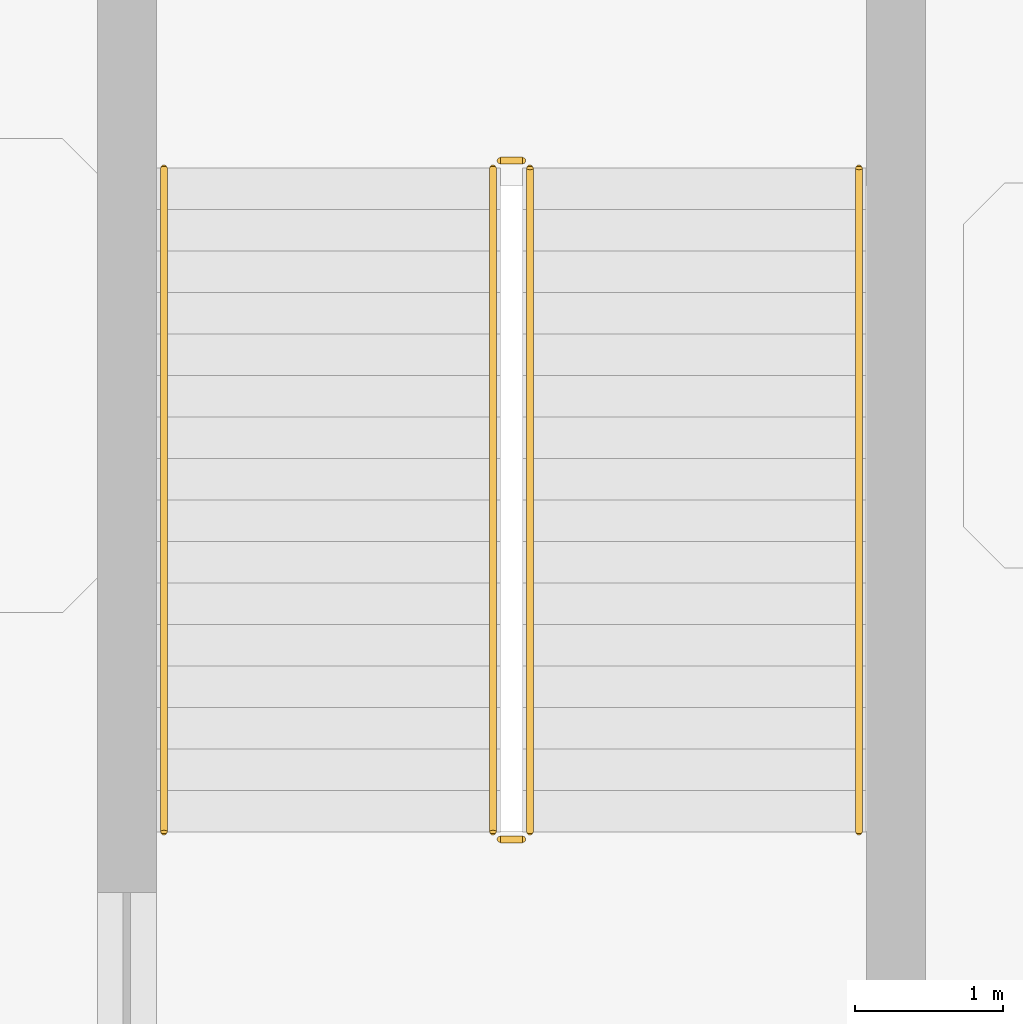
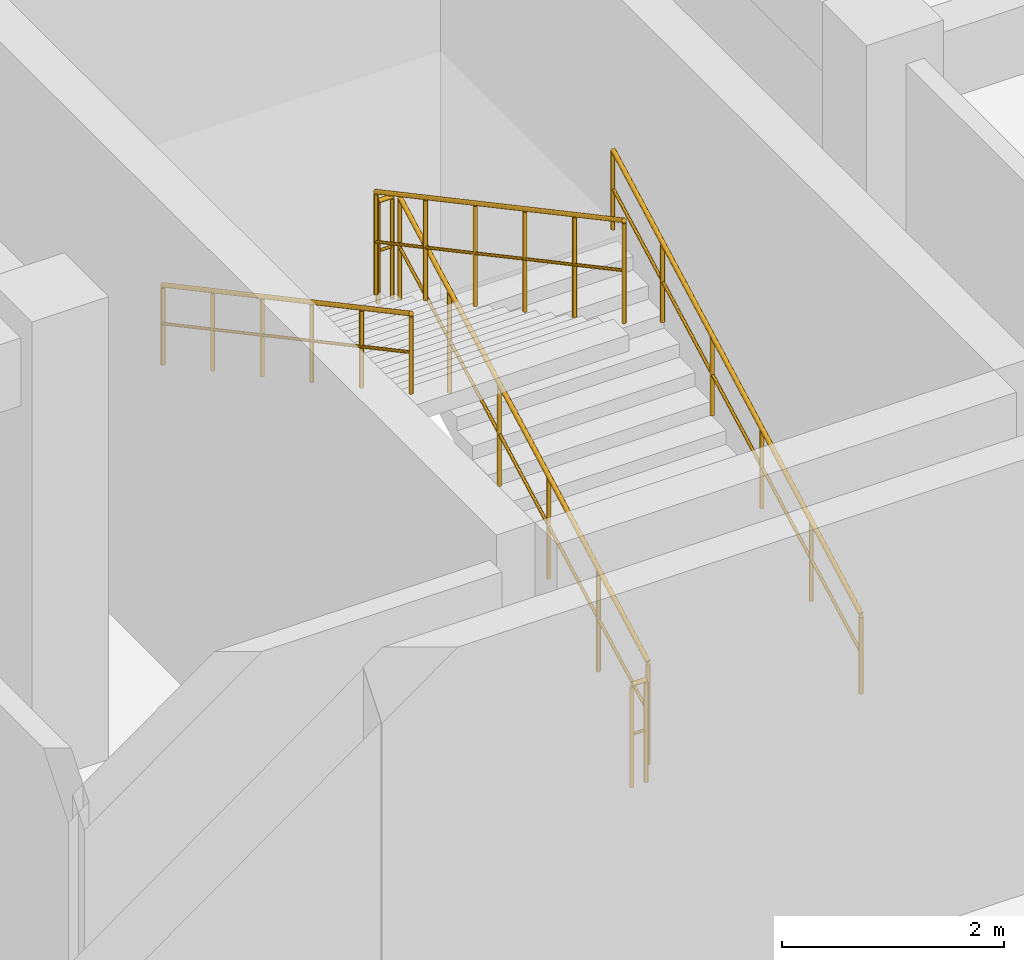
# One storey, part 123 of 124: 6 railings.
"""IFC4 building model written with IfcOpenShell, lengths in metres."""

from ifc_helpers import new_model, si_unit, derived_unit, direction, frame, origin, origin_2d, place, context, subcontext, project, spatial, circle, extrude, material, type_object, element, save


model = new_model("IFC4")

# Units and contexts
model_context = context("Model", 3, precision=1e-05, world=origin(), true_north=direction((0.0, 1.0)))
body_context = subcontext(model_context, "Body", "Model", "MODEL_VIEW")
ifc_project = project(units=[si_unit("LENGTHUNIT", "METRE"), si_unit("AREAUNIT", "SQUARE_METRE"), si_unit("VOLUMEUNIT", "CUBIC_METRE"), si_unit("PLANEANGLEUNIT", "RADIAN"), si_unit("MASSUNIT", "GRAM", prefix="KILO"), derived_unit("THERMALTRANSMITTANCEUNIT", [(si_unit("MASSUNIT", "GRAM", prefix="KILO"), 1), (si_unit("TIMEUNIT", "SECOND"), -3), (si_unit("THERMODYNAMICTEMPERATUREUNIT", "KELVIN"), -1)])], contexts=[model_context])

# Site, building, storey
site_placement = place(None, origin())
site = spatial("IfcSite", under=ifc_project, at=site_placement, CompositionType="ELEMENT")
building_placement = place(site_placement, origin())
building = spatial("IfcBuilding", under=site, at=building_placement, Name="Qinzheling Arcade Emporium", CompositionType="ELEMENT")
storey_placement = place(building_placement, frame((0.0, 0.0, 16.5)))
storey = spatial("IfcBuildingStorey", under=building, at=storey_placement, Name="L04", CompositionType="ELEMENT", Elevation=16.5)

# Railings
ifc_material_1 = material(Name="Galvanised powder-coated tubular steel", Category="steel")
railing_type_1 = type_object("IfcRailingType", Name="Painted Steel Stairwell Guard Railing 1150", PredefinedType="GUARDRAIL", material=ifc_material_1)
railing_1_placement = place(storey_placement, frame((143.675048828125, 5.320068359375, 0.14990234375)))
element("IfcRailing", 1, at=railing_1_placement, inside=storey, type_object=railing_type_1, Name="L04 ST06 stair guard 1", PredefinedType="GUARDRAIL", context=body_context, shape_type="SweptSolid", body=[
    extrude(circle(Radius=0.02392578125, at=origin_2d()), frame((0.0, 0.0, 1.1259765625), z_axis=(0.0, 0.881467115574, 0.472245406714), x_axis=(-1.0, 0.0, 0.0)), (0.0, 0.0, 1.0), 5.08251953125),
    extrude(circle(Radius=0.01611328125, at=origin_2d()), frame((0.0, 0.0, 0.574951171875), z_axis=(0.0, 0.881467115574, 0.472245406714), x_axis=(-1.0, 0.0, 0.0)), (0.0, 0.0, 1.0), 5.08251953125),
    extrude(circle(Radius=0.02099609375, at=origin_2d()), origin(), (0.0, 0.0, 1.0), 1.101806640625),
    extrude(circle(Radius=0.02099609375, at=origin_2d()), frame((0.0, 0.89599609375, 0.47998046875)), (0.0, 0.0, 1.0), 1.101806640625),
    extrude(circle(Radius=0.02099609375, at=origin_2d()), frame((0.0, 1.7919921875, 0.9599609375)), (0.0, 0.0, 1.0), 1.101806640625),
    extrude(circle(Radius=0.02099609375, at=origin_2d()), frame((0.0, 2.68798828125, 1.440185546875)), (0.0, 0.0, 1.0), 1.101806640625),
    extrude(circle(Radius=0.02099609375, at=origin_2d()), frame((0.0, 3.583984375, 1.920166015625)), (0.0, 0.0, 1.0), 1.101806640625),
    extrude(circle(Radius=0.02099609375, at=origin_2d()), frame((0.0, 4.47998046875, 2.400146484375)), (0.0, 0.0, 1.0), 1.101806640625),
])
railing_2_placement = place(storey_placement, frame((143.625, 9.85009765625, 2.550048828125)))
element("IfcRailing", 2, at=railing_2_placement, inside=storey, type_object=railing_type_1, Name="L04 ST06 stair guard 2", PredefinedType="GUARDRAIL", context=body_context, shape_type="SweptSolid", body=[
    extrude(circle(Radius=0.02392578125, at=origin_2d()), frame((0.0, 0.0, 1.1259765625), z_axis=(-1.0, 0.0, 0.0), x_axis=(0.0, -1.0, 0.0)), (0.0, 0.0, 1.0), 0.14990234375),
    extrude(circle(Radius=0.01611328125, at=origin_2d()), frame((0.0, 0.0, 0.574951171875), z_axis=(-1.0, 0.0, 0.0), x_axis=(0.0, -1.0, 0.0)), (0.0, 0.0, 1.0), 0.14990234375),
    extrude(circle(Radius=0.02099609375, at=origin_2d()), origin(), (0.0, 0.0, 1.0), 1.101806640625),
    extrude(circle(Radius=0.02099609375, at=origin_2d()), frame((-0.14990234375, 0.0, 0.0)), (0.0, 0.0, 1.0), 1.101806640625),
])
railing_3_placement = place(storey_placement, frame((143.425048828125, 9.800048828125, 2.699951171875)))
element("IfcRailing", 3, at=railing_3_placement, inside=storey, type_object=railing_type_1, Name="L04 ST06 stair guard 3", PredefinedType="GUARDRAIL", context=body_context, shape_type="SweptSolid", body=[
    extrude(circle(Radius=0.02392578125, at=origin_2d()), frame((0.0, 0.0, 1.1259765625), z_axis=(0.0, -0.881467115574, 0.472245406714), x_axis=(1.0, 0.0, 0.0)), (0.0, 0.0, 1.0), 5.08251953125),
    extrude(circle(Radius=0.01611328125, at=origin_2d()), frame((0.0, 0.0, 0.574951171875), z_axis=(0.0, -0.881467115574, 0.472245406714), x_axis=(1.0, 0.0, 0.0)), (0.0, 0.0, 1.0), 5.08251953125),
    extrude(circle(Radius=0.02099609375, at=origin_2d()), origin(), (0.0, 0.0, 1.0), 1.101806640625),
    extrude(circle(Radius=0.02099609375, at=origin_2d()), frame((0.0, -0.89599609375, 0.47998046875)), (0.0, 0.0, 1.0), 1.101806640625),
    extrude(circle(Radius=0.02099609375, at=origin_2d()), frame((0.0, -1.7919921875, 0.9599609375)), (0.0, 0.0, 1.0), 1.101806640625),
    extrude(circle(Radius=0.02099609375, at=origin_2d()), frame((0.0, -2.68798828125, 1.440185546875)), (0.0, 0.0, 1.0), 1.101806640625),
    extrude(circle(Radius=0.02099609375, at=origin_2d()), frame((0.0, -3.583984375, 1.920166015625)), (0.0, 0.0, 1.0), 1.101806640625),
    extrude(circle(Radius=0.02099609375, at=origin_2d()), frame((0.0, -4.47998046875, 2.400146484375)), (0.0, 0.0, 1.0), 1.101806640625),
])
railing_4_placement = place(storey_placement, frame((143.625, 5.27001953125, 0.0)))
element("IfcRailing", 4, at=railing_4_placement, inside=storey, type_object=railing_type_1, Name="L04 ST06 stair guard 4", PredefinedType="GUARDRAIL", context=body_context, shape_type="SweptSolid", body=[
    extrude(circle(Radius=0.02392578125, at=origin_2d()), frame((0.0, 0.0, 1.1259765625), z_axis=(-1.0, 0.0, 0.0), x_axis=(0.0, -1.0, 0.0)), (0.0, 0.0, 1.0), 0.14990234375),
    extrude(circle(Radius=0.01611328125, at=origin_2d()), frame((0.0, 0.0, 0.574951171875), z_axis=(-1.0, 0.0, 0.0), x_axis=(0.0, -1.0, 0.0)), (0.0, 0.0, 1.0), 0.14990234375),
    extrude(circle(Radius=0.02099609375, at=origin_2d()), origin(), (0.0, 0.0, 1.0), 1.101806640625),
    extrude(circle(Radius=0.02099609375, at=origin_2d()), frame((-0.14990234375, 0.0, 0.0)), (0.0, 0.0, 1.0), 1.101806640625),
])
ifc_material_2 = material(Name="Brushed stainless steel 304", Category="steel")
railing_type_2 = type_object("IfcRailingType", Name="Stainless Steel Wall Handrail 900", PredefinedType="HANDRAIL", material=ifc_material_2)
railing_5_placement = place(storey_placement, frame((145.89501953125, 5.320068359375, 0.14990234375)))
element("IfcRailing", 5, at=railing_5_placement, inside=storey, type_object=railing_type_2, Name="L04 ST06 stair handrail 1", PredefinedType="HANDRAIL", context=body_context, shape_type="SweptSolid", body=[
    extrude(circle(Radius=0.02392578125, at=origin_2d()), frame((0.0, 0.0, 0.8759765625), z_axis=(0.0, 0.881467115574, 0.472245406714), x_axis=(-1.0, 0.0, 0.0)), (0.0, 0.0, 1.0), 5.08251953125),
    extrude(circle(Radius=0.01611328125, at=origin_2d()), frame((0.0, 0.0, 0.449951171875), z_axis=(0.0, 0.881467115574, 0.472245406714), x_axis=(-1.0, 0.0, 0.0)), (0.0, 0.0, 1.0), 5.08251953125),
    extrude(circle(Radius=0.02099609375, at=origin_2d()), origin(), (0.0, 0.0, 1.0), 0.851806640625),
    extrude(circle(Radius=0.02099609375, at=origin_2d()), frame((0.0, 0.89599609375, 0.47998046875)), (0.0, 0.0, 1.0), 0.851806640625),
    extrude(circle(Radius=0.02099609375, at=origin_2d()), frame((0.0, 1.7919921875, 0.9599609375)), (0.0, 0.0, 1.0), 0.851806640625),
    extrude(circle(Radius=0.02099609375, at=origin_2d()), frame((0.0, 2.68798828125, 1.440185546875)), (0.0, 0.0, 1.0), 0.851806640625),
    extrude(circle(Radius=0.02099609375, at=origin_2d()), frame((0.0, 3.583984375, 1.920166015625)), (0.0, 0.0, 1.0), 0.851806640625),
    extrude(circle(Radius=0.02099609375, at=origin_2d()), frame((0.0, 4.47998046875, 2.400146484375)), (0.0, 0.0, 1.0), 0.851806640625),
])
railing_6_placement = place(storey_placement, frame((141.205078125, 9.800048828125, 2.699951171875)))
element("IfcRailing", 6, at=railing_6_placement, inside=storey, type_object=railing_type_2, Name="L04 ST06 stair handrail 2", PredefinedType="HANDRAIL", context=body_context, shape_type="SweptSolid", body=[
    extrude(circle(Radius=0.02392578125, at=origin_2d()), frame((0.0, 0.0, 0.8759765625), z_axis=(0.0, -0.881467115574, 0.472245406714), x_axis=(1.0, 0.0, 0.0)), (0.0, 0.0, 1.0), 5.08251953125),
    extrude(circle(Radius=0.01611328125, at=origin_2d()), frame((0.0, 0.0, 0.449951171875), z_axis=(0.0, -0.881467115574, 0.472245406714), x_axis=(1.0, 0.0, 0.0)), (0.0, 0.0, 1.0), 5.08251953125),
    extrude(circle(Radius=0.02099609375, at=origin_2d()), origin(), (0.0, 0.0, 1.0), 0.851806640625),
    extrude(circle(Radius=0.02099609375, at=origin_2d()), frame((0.0, -0.89599609375, 0.47998046875)), (0.0, 0.0, 1.0), 0.851806640625),
    extrude(circle(Radius=0.02099609375, at=origin_2d()), frame((0.0, -1.7919921875, 0.9599609375)), (0.0, 0.0, 1.0), 0.851806640625),
    extrude(circle(Radius=0.02099609375, at=origin_2d()), frame((0.0, -2.68798828125, 1.440185546875)), (0.0, 0.0, 1.0), 0.851806640625),
    extrude(circle(Radius=0.02099609375, at=origin_2d()), frame((0.0, -3.583984375, 1.920166015625)), (0.0, 0.0, 1.0), 0.851806640625),
    extrude(circle(Radius=0.02099609375, at=origin_2d()), frame((0.0, -4.47998046875, 2.400146484375)), (0.0, 0.0, 1.0), 0.851806640625),
])

save(model, "model.ifc")
